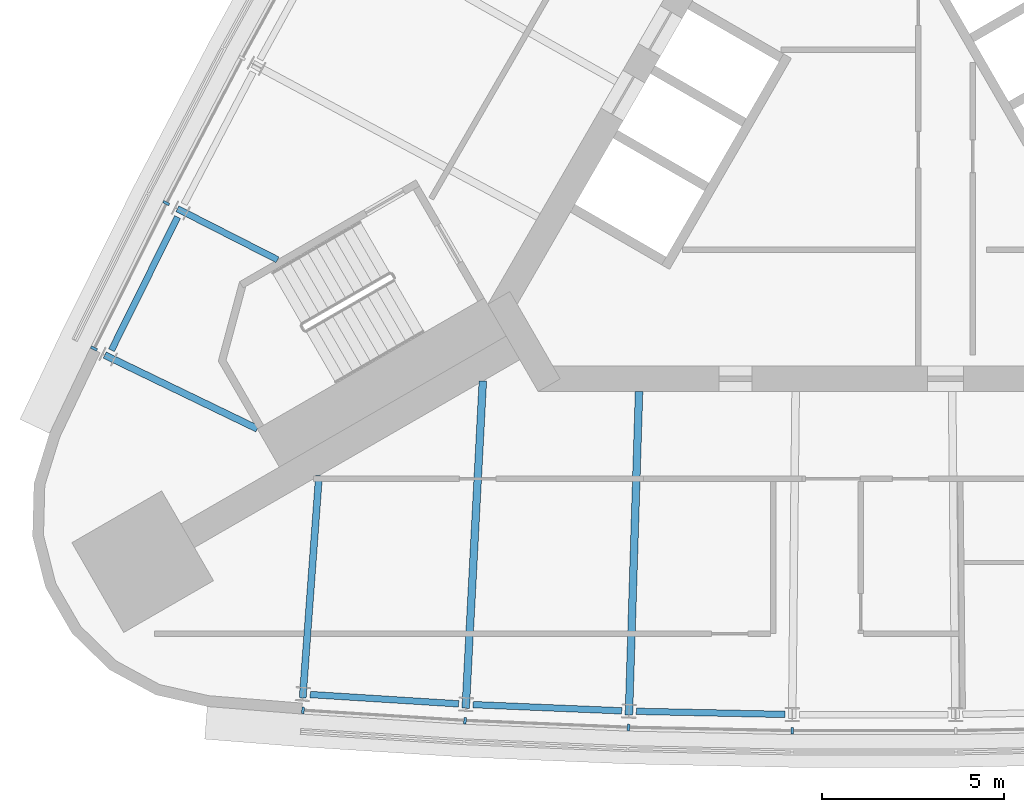
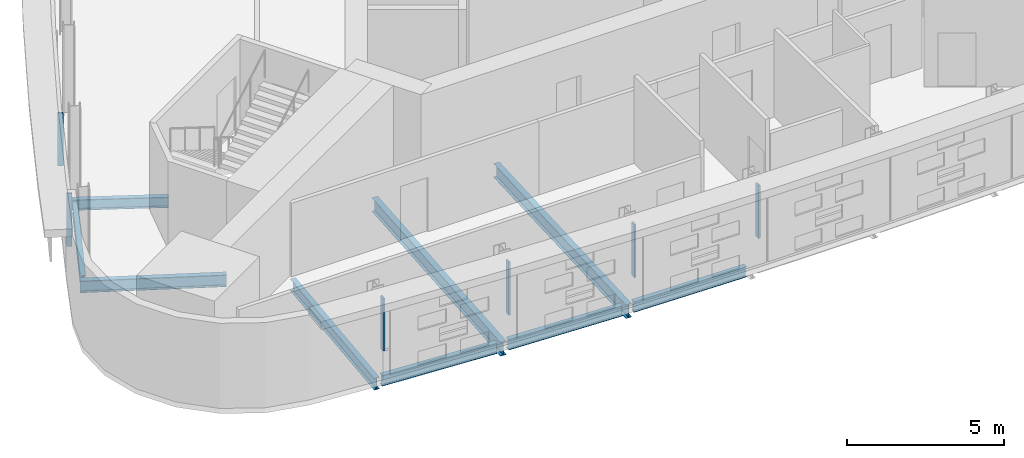
# One storey, part 2 of 12: 9 beams, 6 members, 2 elements without a shape of their own.
"""IFC4 building model written with IfcOpenShell, lengths in metres."""

from ifc_helpers import new_model, si_unit, direction, frame, origin, origin_2d, place, context, subcontext, project, spatial, rectangle, i_section, extrude, material, material_profile, profile_set, type_object, element, aggregate, save


model = new_model("IFC4")

# Units and contexts
model_context = context("Model", 3, precision=1e-05, world=origin(), true_north=direction((0.0, 1.0)))
body_context = subcontext(model_context, "Body", "Model", "MODEL_VIEW")
ifc_project = project(units=[si_unit("LENGTHUNIT", "METRE"), si_unit("AREAUNIT", "SQUARE_METRE"), si_unit("VOLUMEUNIT", "CUBIC_METRE"), si_unit("PLANEANGLEUNIT", "RADIAN"), si_unit("MASSUNIT", "GRAM", prefix="KILO")], contexts=[model_context])

# Site, building, storey
site_placement = place(None, origin())
site = spatial("IfcSite", under=ifc_project, at=site_placement, CompositionType="ELEMENT")
building_placement = place(site_placement, origin())
building = spatial("IfcBuilding", under=site, at=building_placement, Name="Noor Cloister Tower", CompositionType="ELEMENT")
storey_placement = place(building_placement, frame((0.0, 0.0, 161.699951171875)))
storey = spatial("IfcBuildingStorey", under=building, at=storey_placement, Name="L41", CompositionType="ELEMENT", Elevation=161.699951171875)

# Curtain wall, members
ifc_material_1 = material(Name="Aluminium 6063-T6 anodised", Category="aluminium")
curtain_wall_type = type_object("IfcCurtainWallType", Name="Ribbon curtain wall, upper tower CW5", PredefinedType="NOTDEFINED", material=ifc_material_1)
curtain_wall_1_placement = place(storey_placement, origin())
curtain_wall_1 = element("IfcCurtainWall", 1, at=curtain_wall_1_placement, inside=storey, type_object=curtain_wall_type, Name="CW5 L41 NW run 1", PredefinedType="NOTDEFINED")
ifc_material_2 = material(Name="Aluminium 6063-T6 anodised", Category="aluminium")
ifc_material_profile_1 = material_profile(ifc_material_2, rectangle(XDim=0.179931640625, YDim=0.070068359375, at=origin_2d()), Name="180 x 70 mullion")
ifc_profile_set_1 = profile_set([ifc_material_profile_1], Name="Aluminium 6063-T6 anodised")
member_type = type_object("IfcMemberType", Name="Mullion CW5 70 x 180", PredefinedType="MULLION", material=ifc_profile_set_1)
member_1_placement = place(storey_placement, frame((-19.45556640625, -1.74560546875, 1.10009765625), z_axis=(0.0, 0.0, 1.0), x_axis=(0.891009265748, -0.453985119086, 0.0)))
member_1 = element("IfcMember", 2, at=member_1_placement, type_object=member_type, Name="CW5 mullion 7", PredefinedType="MULLION", context=body_context, shape_type="SweptSolid", body=[
    extrude(rectangle(XDim=0.179931640625, YDim=0.070068359375, at=origin_2d()), origin(), (0.0, 0.0, 1.0), 2.050048828125),
])
member_2_placement = place(storey_placement, frame((-21.4404296875, -5.744140625, 1.10009765625), z_axis=(0.0, 0.0, 1.0), x_axis=(0.89571498076, -0.444628691429, 0.0)))
member_2 = element("IfcMember", 3, at=member_2_placement, type_object=member_type, Name="CW5 mullion 8", PredefinedType="MULLION", context=body_context, shape_type="SweptSolid", body=[
    extrude(rectangle(XDim=0.179931640625, YDim=0.070068359375, at=origin_2d()), origin(), (0.0, 0.0, 1.0), 2.050048828125),
])
aggregate(curtain_wall_1, [member_1, member_2])

curtain_wall_2_placement = place(storey_placement, origin())
curtain_wall_2 = element("IfcCurtainWall", 4, at=curtain_wall_2_placement, inside=storey, type_object=curtain_wall_type, Name="CW5 L41 S run 2", PredefinedType="NOTDEFINED")
member_3_placement = place(storey_placement, frame((-15.694580078125, -15.69580078125, 1.10009765625), z_axis=(0.0, 0.0, 1.0), x_axis=(0.062797748351, 0.998026273603, 0.0)))
member_3 = element("IfcMember", 5, at=member_3_placement, type_object=member_type, Name="CW5 mullion 1", PredefinedType="MULLION", context=body_context, shape_type="SweptSolid", body=[
    extrude(rectangle(XDim=0.179931640625, YDim=0.070068359375, at=origin_2d()), origin(), (0.0, 0.0, 1.0), 2.050048828125),
])
member_4_placement = place(storey_placement, frame((-11.23974609375, -15.97607421875, 1.10009765625), z_axis=(0.0, 0.0, 1.0), x_axis=(0.052341986805, 0.998629218688, 0.0)))
member_4 = element("IfcMember", 6, at=member_4_placement, type_object=member_type, Name="CW5 mullion 2", PredefinedType="MULLION", context=body_context, shape_type="SweptSolid", body=[
    extrude(rectangle(XDim=0.179931640625, YDim=0.070068359375, at=origin_2d()), origin(), (0.0, 0.0, 1.0), 2.050048828125),
])
member_5_placement = place(storey_placement, frame((-6.745849609375, -16.16455078125, 1.10009765625), z_axis=(0.0, 0.0, 1.0), x_axis=(0.031414387571, 0.999506446329, 0.0)))
member_5 = element("IfcMember", 7, at=member_5_placement, type_object=member_type, Name="CW5 mullion 3", PredefinedType="MULLION", context=body_context, shape_type="SweptSolid", body=[
    extrude(rectangle(XDim=0.179931640625, YDim=0.070068359375, at=origin_2d()), origin(), (0.0, 0.0, 1.0), 2.050048828125),
])
member_6_placement = place(storey_placement, frame((-2.2490234375, -16.2587890625, 1.10009765625), z_axis=(0.0, 0.0, 1.0), x_axis=(0.010472988327, 0.999945156754, 0.0)))
member_6 = element("IfcMember", 8, at=member_6_placement, type_object=member_type, Name="CW5 mullion 4", PredefinedType="MULLION", context=body_context, shape_type="SweptSolid", body=[
    extrude(rectangle(XDim=0.179931640625, YDim=0.070068359375, at=origin_2d()), origin(), (0.0, 0.0, 1.0), 2.050048828125),
])
aggregate(curtain_wall_2, [member_3, member_4, member_5, member_6])

# Beams
ifc_material_3 = material(Name="Steel ASTM A992 Gr 50", Category="steel")
ifc_material_profile_2 = material_profile(ifc_material_3, i_section(OverallWidth=0.177978515625, OverallDepth=0.406005859375, WebThickness=0.0078125, FlangeThickness=0.0126953125, FilletRadius=0.01025390625, at=origin_2d()), Name="W410x60")
ifc_profile_set_2 = profile_set([ifc_material_profile_2], Name="Steel ASTM A992 Gr 50")
beam_type_1 = type_object("IfcBeamType", Name="Radial beam W410x60", PredefinedType="BEAM", material=ifc_profile_set_2)
beam_1_placement = place(storey_placement, frame((-19.14990234375, -1.9013671875, -0.40283203125), z_axis=(0.89098946836, -0.454023972133, 0.0), x_axis=(0.454023972133, 0.89098946836, 0.0)))
element("IfcBeam", 9, at=beam_1_placement, inside=storey, type_object=beam_type_1, Name="Radial beam NW 07 L41", PredefinedType="BEAM", context=body_context, shape_type="SweptSolid", body=[
    extrude(i_section(OverallWidth=0.177978515625, OverallDepth=0.406005859375, WebThickness=0.0078125, FlangeThickness=0.0126953125, FilletRadius=0.01025390625, at=origin_2d()), origin(), (0.0, 0.0, 1.0), 3.09130859375),
])
ifc_material_4 = material(Name="Steel ASTM A992 Gr 50", Category="steel")
ifc_material_profile_3 = material_profile(ifc_material_4, i_section(OverallWidth=0.19091796875, OverallDepth=0.45703125, WebThickness=0.009033203125, FlangeThickness=0.014404296875, FilletRadius=0.01025390625, at=origin_2d()), Name="W460x74")
ifc_profile_set_3 = profile_set([ifc_material_profile_3], Name="Steel ASTM A992 Gr 50")
beam_type_2 = type_object("IfcBeamType", Name="Radial beam W460x74", PredefinedType="BEAM", material=ifc_profile_set_3)
beam_2_placement = place(storey_placement, frame((-21.146728515625, -5.923828125, -0.428466796875), z_axis=(0.900330817951, -0.435206179009, 0.0), x_axis=(0.435206179009, 0.900330817951, 0.0)))
element("IfcBeam", 10, at=beam_2_placement, inside=storey, type_object=beam_type_2, Name="Radial beam NW 08 L41", PredefinedType="BEAM", context=body_context, shape_type="SweptSolid", body=[
    extrude(i_section(OverallWidth=0.19091796875, OverallDepth=0.45703125, WebThickness=0.009033203125, FlangeThickness=0.014404296875, FilletRadius=0.01025390625, at=origin_2d()), origin(), (0.0, 0.0, 1.0), 4.659423828125),
])
beam_3_placement = place(storey_placement, frame((-15.703369140625, -15.3515625, -0.428466796875), z_axis=(0.073228877714, 0.997315161556, 0.0), x_axis=(-0.997315161556, 0.073228877714, 0.0)))
element("IfcBeam", 11, at=beam_3_placement, inside=storey, type_object=beam_type_2, Name="Radial beam S 01 L41", PredefinedType="BEAM", context=body_context, shape_type="SweptSolid", body=[
    extrude(i_section(OverallWidth=0.19091796875, OverallDepth=0.45703125, WebThickness=0.009033203125, FlangeThickness=0.014404296875, FilletRadius=0.01025390625, at=origin_2d()), origin(), (0.0, 0.0, 1.0), 6.127685546875),
])
ifc_material_5 = material(Name="Steel ASTM A992 Gr 50", Category="steel")
ifc_material_profile_4 = material_profile(ifc_material_5, i_section(OverallWidth=0.208984375, OverallDepth=0.532958984375, WebThickness=0.01025390625, FlangeThickness=0.015625, FilletRadius=0.0126953125, at=origin_2d()), Name="W530x92")
ifc_profile_set_4 = profile_set([ifc_material_profile_4], Name="Steel ASTM A992 Gr 50")
beam_type_3 = type_object("IfcBeamType", Name="Radial beam W530x92", PredefinedType="BEAM", material=ifc_profile_set_4)
beam_4_placement = place(storey_placement, frame((-11.2216796875, -15.633544921875, -0.466552734375), z_axis=(0.052345413135, 0.998629039095, 0.0), x_axis=(-0.998629039095, 0.052345413135, 0.0)))
element("IfcBeam", 12, at=beam_4_placement, inside=storey, type_object=beam_type_3, Name="Radial beam S 02 L41", PredefinedType="BEAM", context=body_context, shape_type="SweptSolid", body=[
    extrude(i_section(OverallWidth=0.208984375, OverallDepth=0.532958984375, WebThickness=0.01025390625, FlangeThickness=0.015625, FilletRadius=0.0126953125, at=origin_2d()), origin(), (0.0, 0.0, 1.0), 9.00634765625),
])
beam_5_placement = place(storey_placement, frame((-6.73486328125, -15.82177734375, -0.466552734375), z_axis=(0.031388939531, 0.999507245834, 0.0), x_axis=(-0.999507245834, 0.031388939531, 0.0)))
element("IfcBeam", 13, at=beam_5_placement, inside=storey, type_object=beam_type_3, Name="Radial beam S 03 L41", PredefinedType="BEAM", context=body_context, shape_type="SweptSolid", body=[
    extrude(i_section(OverallWidth=0.208984375, OverallDepth=0.532958984375, WebThickness=0.01025390625, FlangeThickness=0.015625, FilletRadius=0.0126953125, at=origin_2d()), origin(), (0.0, 0.0, 1.0), 8.89794921875),
])
ifc_material_6 = material(Name="Steel ASTM A992 Gr 50", Category="steel")
ifc_material_profile_5 = material_profile(ifc_material_6, i_section(OverallWidth=0.177978515625, OverallDepth=0.406005859375, WebThickness=0.0078125, FlangeThickness=0.0126953125, FilletRadius=0.01025390625, at=origin_2d()), Name="W410x60")
ifc_profile_set_5 = profile_set([ifc_material_profile_5], Name="Steel ASTM A992 Gr 50")
beam_type_4 = type_object("IfcBeamType", Name="Spandrel beam W410x60", PredefinedType="SPANDREL", material=ifc_profile_set_5)
beam_6_placement = place(storey_placement, frame((-19.143310546875, -2.128662109375, -0.40283203125), z_axis=(-0.444632770879, -0.895712955729, 0.0), x_axis=(0.895712955729, -0.444632770879, 0.0)))
element("IfcBeam", 14, at=beam_6_placement, inside=storey, type_object=beam_type_4, Name="Spandrel beam NW 07 L41", PredefinedType="SPANDREL", context=body_context, shape_type="SweptSolid", body=[
    extrude(i_section(OverallWidth=0.177978515625, OverallDepth=0.406005859375, WebThickness=0.0078125, FlangeThickness=0.0126953125, FilletRadius=0.01025390625, at=origin_2d()), origin(), (0.0, 0.0, 1.0), 4.089599609375),
])
beam_7_placement = place(storey_placement, frame((-15.49658203125, -15.257568359375, -0.40283203125), z_axis=(0.998029512808, -0.06274624741, 0.0), x_axis=(0.06274624741, 0.998029512808, 0.0)))
element("IfcBeam", 15, at=beam_7_placement, inside=storey, type_object=beam_type_4, Name="Spandrel beam S 01 L41", PredefinedType="SPANDREL", context=body_context, shape_type="SweptSolid", body=[
    extrude(i_section(OverallWidth=0.177978515625, OverallDepth=0.406005859375, WebThickness=0.0078125, FlangeThickness=0.0126953125, FilletRadius=0.01025390625, at=origin_2d()), origin(), (0.0, 0.0, 1.0), 4.08935546875),
])
for number, where, z_axis, x_axis, name in (
    (16, (-11.016845703125, -15.53515625, -0.40283203125), (0.99912394431, -0.041849061004, 0.0), (0.041849061004, 0.99912394431, 0.0), "Spandrel beam S 02 L41"),
    (17, (-6.5322265625, -15.718994140625, -0.40283203125), (0.999780432962, -0.020954375827, 0.0), (0.020954375827, 0.999780432962, 0.0), "Spandrel beam S 03 L41"),
):
    element("IfcBeam", number, at=place(storey_placement, frame(where, z_axis=z_axis, x_axis=x_axis)), inside=storey, type_object=beam_type_4, Name=name, PredefinedType="SPANDREL", context=body_context, shape_type="SweptSolid", body=[
        extrude(i_section(OverallWidth=0.177978515625, OverallDepth=0.406005859375, WebThickness=0.0078125, FlangeThickness=0.0126953125, FilletRadius=0.01025390625, at=origin_2d()), origin(), (0.0, 0.0, 1.0), 4.089599609375),
    ])

save(model, "model.ifc")
